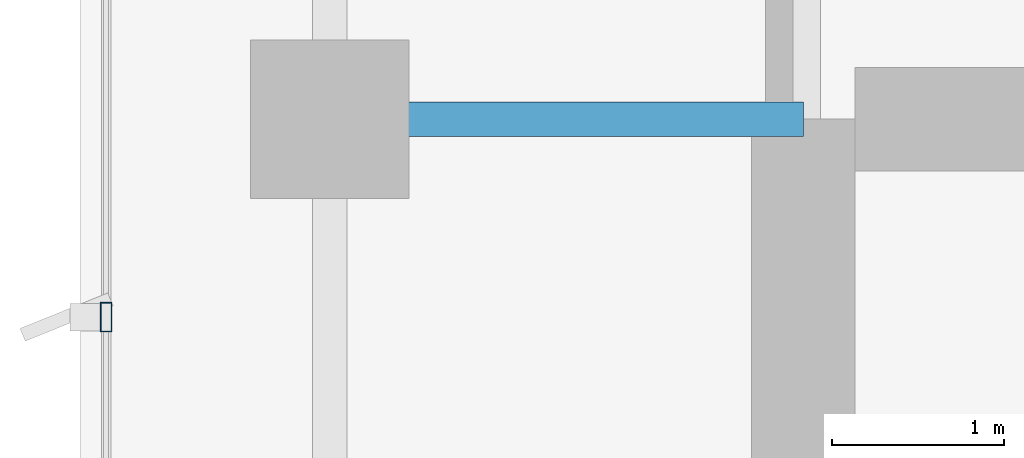
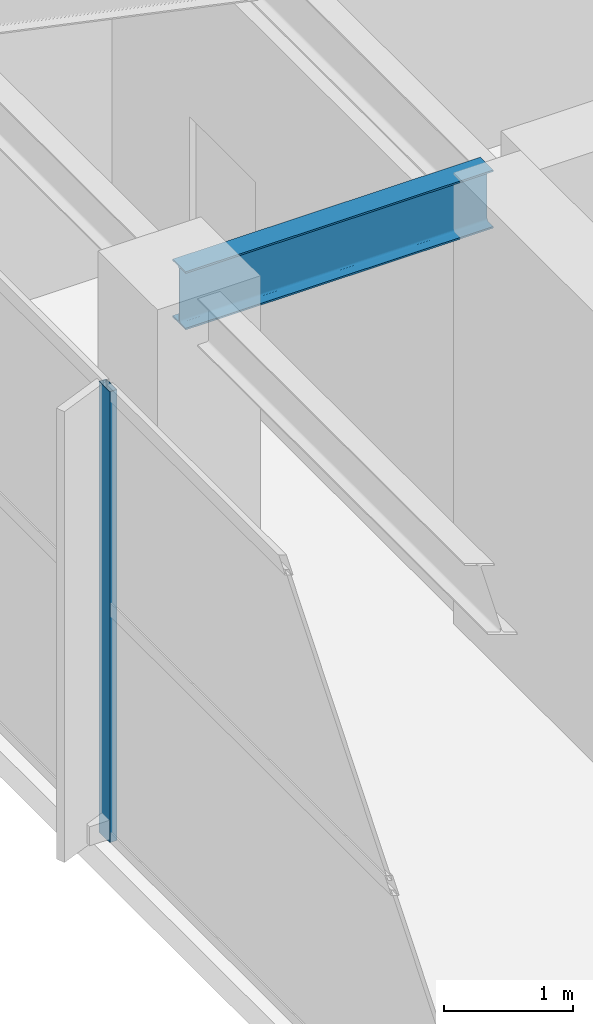
# One storey, part 14 of 25: 1 beam, 1 member, 1 element without a shape of its own.
"""IFC4 building model written with IfcOpenShell, lengths in metres."""

from ifc_helpers import new_model, si_unit, direction, frame, origin, origin_2d, place, context, subcontext, project, spatial, hollow_rectangle, i_section, extrude, material, layer, layer_set, material_profile, profile_set, type_object, element, aggregate, save


model = new_model("IFC4")

# Units and contexts
model_context = context("Model", 3, precision=1e-05, world=origin(), true_north=direction((0.0, 1.0)))
body_context = subcontext(model_context, "Body", "Model", "MODEL_VIEW")
ifc_project = project(units=[si_unit("LENGTHUNIT", "METRE"), si_unit("AREAUNIT", "SQUARE_METRE"), si_unit("VOLUMEUNIT", "CUBIC_METRE"), si_unit("PLANEANGLEUNIT", "RADIAN"), si_unit("MASSUNIT", "GRAM", prefix="KILO")], contexts=[model_context])

# Site, building, storey
site_placement = place(None, origin())
site = spatial("IfcSite", under=ifc_project, at=site_placement, CompositionType="ELEMENT")
building_placement = place(site_placement, origin())
building = spatial("IfcBuilding", under=site, at=building_placement, Name="Calvorn Quay Hotel", CompositionType="ELEMENT")
storey_placement = place(building_placement, frame((0.0, 0.0, 316.0)))
storey = spatial("IfcBuildingStorey", under=building, at=storey_placement, Name="L78", CompositionType="ELEMENT", Elevation=316.0)

# Beam
ifc_material_1 = material(Name="Steel Q355B", Category="steel")
ifc_material_profile_1 = material_profile(ifc_material_1, i_section(OverallWidth=0.199951171875, OverallDepth=0.550048828125, WebThickness=0.010009765625, FlangeThickness=0.01611328125, FilletRadius=0.01806640625, at=origin_2d()), Name="HN550x200x10x16")
ifc_profile_set_1 = profile_set([ifc_material_profile_1], Name="Steel Q355B")
beam_type = type_object("IfcBeamType", Name="BM-GIRD-UPP", PredefinedType="BEAM", material=ifc_profile_set_1)
beam_placement = place(storey_placement, frame((1.449951171875, 38.39990234375, 3.965087890625), z_axis=(1.0, 0.0, 0.0), x_axis=(0.0, 1.0, 0.0)))
element("IfcBeam", 1, at=beam_placement, inside=storey, type_object=beam_type, Name="Beam BG-L78-W3", PredefinedType="BEAM", context=body_context, shape_type="SweptSolid", body=[
    extrude(i_section(OverallWidth=0.199951171875, OverallDepth=0.550048828125, WebThickness=0.010009765625, FlangeThickness=0.01611328125, FilletRadius=0.01806640625, at=origin_2d()), origin(), (0.0, 0.0, 1.0), 2.75),
])

# Curtain wall, member
ifc_material_2 = material(Name="Champagne Bronze Anodised Aluminium and Low-E Glass", Category="aluminium")
ifc_layer = layer(ifc_material_2, 0.219970703125)
ifc_layer_set = layer_set([ifc_layer], Name="CW-SYS-Z4")
curtain_wall_type = type_object("IfcCurtainWallType", Name="CW-SYS-Z4", PredefinedType="NOTDEFINED", material=ifc_layer_set)
curtain_wall_placement = place(storey_placement, origin())
curtain_wall = element("IfcCurtainWall", 2, at=curtain_wall_placement, inside=storey, type_object=curtain_wall_type, Name="Tower West Curtain Wall (L78)", PredefinedType="NOTDEFINED")
ifc_material_3 = material(Name="Champagne Bronze Anodised Aluminium 6063-T6", Category="aluminium")
ifc_material_profile_2 = material_profile(ifc_material_3, hollow_rectangle(XDim=0.06494140625, YDim=0.169921875, WallThickness=0.00341796875, at=origin_2d()), Name="ALU-M170x65x3.5")
ifc_profile_set_2 = profile_set([ifc_material_profile_2], Name="Champagne Bronze Anodised Aluminium 6063-T6")
member_type = type_object("IfcMemberType", Name="CW-SYS-Z4-MUL", PredefinedType="MULLION", material=ifc_profile_set_2)
member_placement = place(storey_placement, frame((0.14990234375, 37.25, 0.0), z_axis=(0.0, 0.0, 1.0), x_axis=(-1.0, 0.0, 0.0)))
member = element("IfcMember", 3, at=member_placement, type_object=member_type, Name="CW-L78-W mullion 4", PredefinedType="MULLION", context=body_context, shape_type="SweptSolid", body=[
    extrude(hollow_rectangle(XDim=0.06494140625, YDim=0.169921875, WallThickness=0.00341796875, at=origin_2d()), origin(), (0.0, 0.0, 1.0), 4.260009765625),
])
aggregate(curtain_wall, [member])

save(model, "model.ifc")
